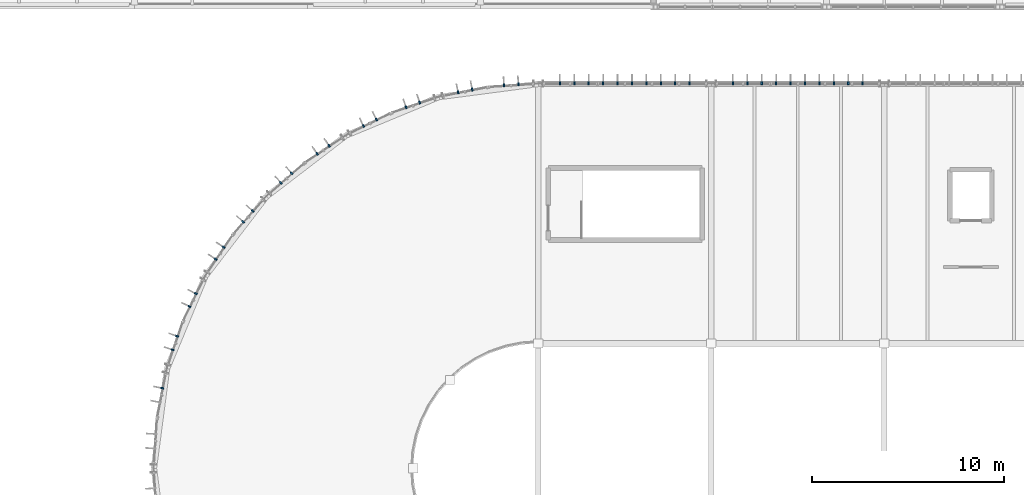
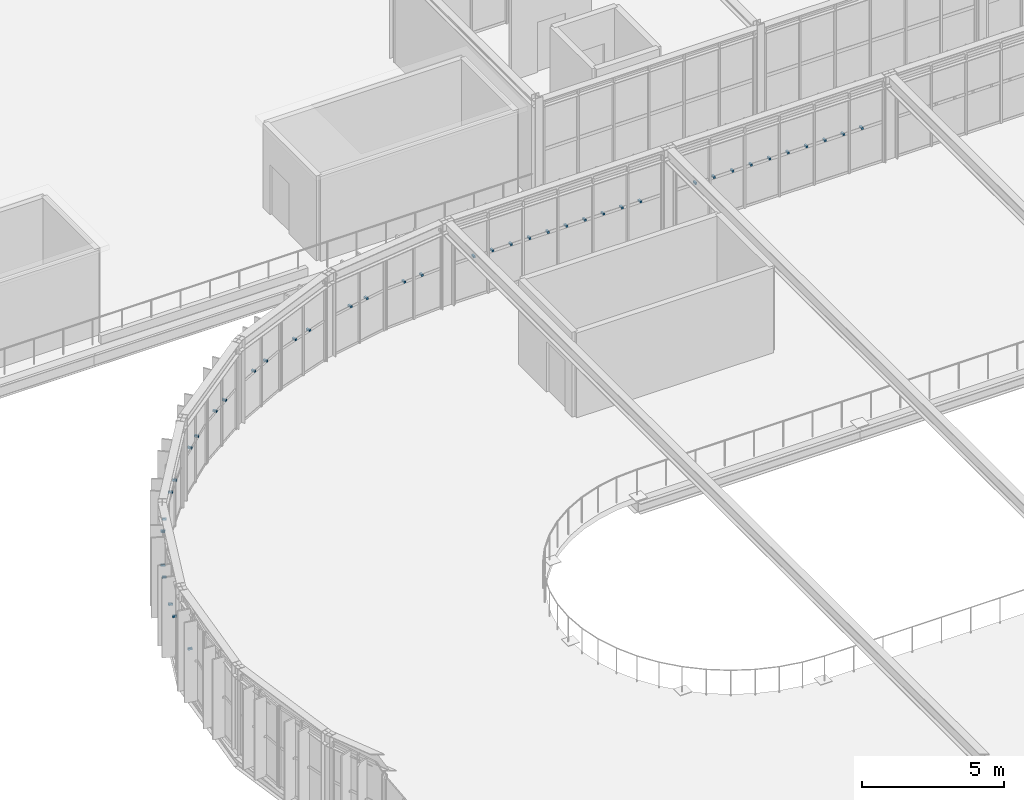
# One storey, part 134 of 152: 41 discrete accessories.
"""IFC4 building model written with IfcOpenShell, lengths in metres."""

from ifc_helpers import new_model, si_unit, derived_unit, direction, frame, origin, origin_2d, place, context, subcontext, project, spatial, rectangle, extrude, material, type_object, element, save


model = new_model("IFC4")

# Units and contexts
model_context = context("Model", 3, precision=1e-05, world=origin(), true_north=direction((0.0, 1.0)))
body_context = subcontext(model_context, "Body", "Model", "MODEL_VIEW")
ifc_project = project(units=[si_unit("LENGTHUNIT", "METRE"), si_unit("AREAUNIT", "SQUARE_METRE"), si_unit("VOLUMEUNIT", "CUBIC_METRE"), si_unit("PLANEANGLEUNIT", "RADIAN"), si_unit("MASSUNIT", "GRAM", prefix="KILO"), si_unit("THERMODYNAMICTEMPERATUREUNIT", "KELVIN"), si_unit("TIMEUNIT", "SECOND"), derived_unit("THERMALTRANSMITTANCEUNIT", [(si_unit("MASSUNIT", "GRAM", prefix="KILO"), 1), (si_unit("THERMODYNAMICTEMPERATUREUNIT", "KELVIN"), -1), (si_unit("TIMEUNIT", "SECOND"), -3)])], contexts=[model_context])

# Site, building, storey
site_placement = place(None, origin())
site = spatial("IfcSite", under=ifc_project, at=site_placement, CompositionType="ELEMENT")
building_placement = place(site_placement, origin())
building = spatial("IfcBuilding", under=site, at=building_placement, Name="Cambertide Market Hall", CompositionType="ELEMENT")
storey_placement = place(building_placement, frame((0.0, 0.0, 5.39990234375)))
storey = spatial("IfcBuildingStorey", under=building, at=storey_placement, Name="L02", CompositionType="ELEMENT", Elevation=5.39990234375)

# Discrete accessories
ifc_material = material(Name="Stainless Steel Grade 316", Category="metal")
discrete_accessory_type = type_object("IfcDiscreteAccessoryType", Name="Stainless Fin Outrigger Tie Bracket", PredefinedType="BRACKET", material=ifc_material)
for number, where, z_axis, x_axis, name in (
    (1, (43.125, 92.0400390625, 1.68505859375), (0.0, 0.0, 1.0), (1.0, 0.0, 0.0), "CW-V1N-L02-1 Fin Tie Bracket 1"),
    (2, (43.875, 92.0400390625, 1.68505859375), (0.0, 0.0, 1.0), (1.0, 0.0, 0.0), "CW-V1N-L02-1 Fin Tie Bracket 2"),
    (3, (44.625, 92.0400390625, 1.68505859375), (0.0, 0.0, 1.0), (1.0, 0.0, 0.0), "CW-V1N-L02-1 Fin Tie Bracket 3"),
    (4, (45.375, 92.0400390625, 1.68505859375), (0.0, 0.0, 1.0), (1.0, 0.0, 0.0), "CW-V1N-L02-1 Fin Tie Bracket 4"),
    (5, (46.125, 92.0400390625, 1.68505859375), (0.0, 0.0, 1.0), (1.0, 0.0, 0.0), "CW-V1N-L02-1 Fin Tie Bracket 5"),
    (6, (46.875, 92.0400390625, 1.68505859375), (0.0, 0.0, 1.0), (1.0, 0.0, 0.0), "CW-V1N-L02-1 Fin Tie Bracket 6"),
    (7, (47.625, 92.0400390625, 1.68505859375), (0.0, 0.0, 1.0), (1.0, 0.0, 0.0), "CW-V1N-L02-1 Fin Tie Bracket 7"),
    (8, (48.375, 92.0400390625, 1.68505859375), (0.0, 0.0, 1.0), (1.0, 0.0, 0.0), "CW-V1N-L02-1 Fin Tie Bracket 8"),
    (9, (49.125, 92.0400390625, 1.68505859375), (0.0, 0.0, 1.0), (1.0, 0.0, 0.0), "CW-V1N-L02-1 Fin Tie Bracket 9"),
    (10, (49.875, 92.0400390625, 1.68505859375), (0.0, 0.0, 1.0), (1.0, 0.0, 0.0), "CW-V1N-L02-1 Fin Tie Bracket 10"),
    (11, (52.125, 92.0400390625, 1.68505859375), (0.0, 0.0, 1.0), (1.0, 0.0, 0.0), "CW-V1N-L02-2 Fin Tie Bracket 1"),
    (12, (52.875, 92.0400390625, 1.68505859375), (0.0, 0.0, 1.0), (1.0, 0.0, 0.0), "CW-V1N-L02-2 Fin Tie Bracket 2"),
    (13, (53.625, 92.0400390625, 1.68505859375), (0.0, 0.0, 1.0), (1.0, 0.0, 0.0), "CW-V1N-L02-2 Fin Tie Bracket 3"),
    (14, (54.375, 92.0400390625, 1.68505859375), (0.0, 0.0, 1.0), (1.0, 0.0, 0.0), "CW-V1N-L02-2 Fin Tie Bracket 4"),
    (15, (55.125, 92.0400390625, 1.68505859375), (0.0, 0.0, 1.0), (1.0, 0.0, 0.0), "CW-V1N-L02-2 Fin Tie Bracket 5"),
    (16, (55.875, 92.0400390625, 1.68505859375), (0.0, 0.0, 1.0), (1.0, 0.0, 0.0), "CW-V1N-L02-2 Fin Tie Bracket 6"),
    (17, (56.625, 92.0400390625, 1.68505859375), (0.0, 0.0, 1.0), (1.0, 0.0, 0.0), "CW-V1N-L02-2 Fin Tie Bracket 7"),
    (18, (57.375, 92.0400390625, 1.68505859375), (0.0, 0.0, 1.0), (1.0, 0.0, 0.0), "CW-V1N-L02-2 Fin Tie Bracket 8"),
    (19, (58.125, 92.0400390625, 1.68505859375), (0.0, 0.0, 1.0), (1.0, 0.0, 0.0), "CW-V1N-L02-2 Fin Tie Bracket 9"),
    (20, (58.875, 92.0400390625, 1.68505859375), (0.0, 0.0, 1.0), (1.0, 0.0, 0.0), "CW-V1N-L02-2 Fin Tie Bracket 10"),
    (21, (40.218017578125, 91.92333984375, 1.68505859375), (0.0, 0.0, 1.0), (0.997858917819, 0.065403211921, 0.0), "CW-V1AW-L02-01 Fin Tie Bracket 1"),
    (22, (40.966552734375, 91.972412109375, 1.68505859375), (0.0, 0.0, 1.0), (0.997858917819, 0.065403211921, 0.0), "CW-V1AW-L02-01 Fin Tie Bracket 2"),
    (23, (37.8291015625, 91.559326171875, 1.68505859375), (0.0, 0.0, 1.0), (0.980785330885, 0.195090068226, 0.0), "CW-V1AW-L02-02 Fin Tie Bracket 1"),
    (24, (38.564697265625, 91.70556640625, 1.68505859375), (0.0, 0.0, 1.0), (0.980785330885, 0.195090068226, 0.0), "CW-V1AW-L02-02 Fin Tie Bracket 2"),
    (25, (35.122314453125, 90.783203125, 1.68505859375), (0.0, 0.0, 1.0), (0.94693012508, 0.32143947831, 0.0), "CW-V1AW-L02-03 Fin Tie Bracket 1"),
    (26, (35.83251953125, 91.0244140625, 1.68505859375), (0.0, 0.0, 1.0), (0.94693012508, 0.32143947831, 0.0), "CW-V1AW-L02-03 Fin Tie Bracket 2"),
    (27, (32.908935546875, 89.813232421875, 1.68505859375), (0.0, 0.0, 1.0), (0.896872650645, 0.442288874522, 0.0), "CW-V1AW-L02-04 Fin Tie Bracket 1"),
    (28, (33.58154296875, 90.14501953125, 1.68505859375), (0.0, 0.0, 1.0), (0.896872650645, 0.442288874522, 0.0), "CW-V1AW-L02-04 Fin Tie Bracket 2"),
    (29, (30.4951171875, 88.363037109375, 1.68505859375), (0.0, 0.0, 1.0), (0.831469709481, 0.555570087582, 0.0), "CW-V1AW-L02-05 Fin Tie Bracket 1"),
    (30, (31.118896484375, 88.77978515625, 1.68505859375), (0.0, 0.0, 1.0), (0.831469709481, 0.555570087582, 0.0), "CW-V1AW-L02-05 Fin Tie Bracket 2"),
    (31, (28.608154296875, 86.853271484375, 1.68505859375), (0.0, 0.0, 1.0), (0.751839834741, 0.659345784014, 0.0), "CW-V1AW-L02-06 Fin Tie Bracket 1"),
    (32, (29.172119140625, 87.347900390625, 1.68505859375), (0.0, 0.0, 1.0), (0.751839834741, 0.659345784014, 0.0), "CW-V1AW-L02-06 Fin Tie Bracket 2"),
    (33, (26.652099609375, 84.827880859375, 1.68505859375), (0.0, 0.0, 1.0), (0.659345784014, 0.751839834741, 0.0), "CW-V1AW-L02-07 Fin Tie Bracket 1"),
    (34, (27.146728515625, 85.391845703125, 1.68505859375), (0.0, 0.0, 1.0), (0.659345784014, 0.751839834741, 0.0), "CW-V1AW-L02-07 Fin Tie Bracket 2"),
    (35, (25.22021484375, 82.881103515625, 1.68505859375), (0.0, 0.0, 1.0), (0.555570087582, 0.831469709481, 0.0), "CW-V1AW-L02-08 Fin Tie Bracket 1"),
    (36, (25.636962890625, 83.5048828125, 1.68505859375), (0.0, 0.0, 1.0), (0.555570087582, 0.831469709481, 0.0), "CW-V1AW-L02-08 Fin Tie Bracket 2"),
    (37, (23.85498046875, 80.41845703125, 1.68505859375), (0.0, 0.0, 1.0), (0.442288874522, 0.896872650645, 0.0), "CW-V1AW-L02-09 Fin Tie Bracket 1"),
    (38, (24.186767578125, 81.091064453125, 1.68505859375), (0.0, 0.0, 1.0), (0.442288874522, 0.896872650645, 0.0), "CW-V1AW-L02-09 Fin Tie Bracket 2"),
    (39, (22.9755859375, 78.16748046875, 1.68505859375), (0.0, 0.0, 1.0), (0.32143947831, 0.94693012508, 0.0), "CW-V1AW-L02-10 Fin Tie Bracket 1"),
    (40, (23.216796875, 78.877685546875, 1.68505859375), (0.0, 0.0, 1.0), (0.32143947831, 0.94693012508, 0.0), "CW-V1AW-L02-10 Fin Tie Bracket 2"),
    (41, (22.440673828125, 76.1708984375, 1.68505859375), (0.0, 0.0, 1.0), (0.195090068226, 0.980785330885, 0.0), "CW-V1AW-L02-11 Fin Tie Bracket 2"),
):
    element("IfcDiscreteAccessory", number, at=place(storey_placement, frame(where, z_axis=z_axis, x_axis=x_axis)), inside=storey, type_object=discrete_accessory_type, Name=name, PredefinedType="BRACKET", context=body_context, shape_type="SweptSolid", body=[
        extrude(rectangle(XDim=0.080078125, YDim=0.159912109375, at=origin_2d()), origin(), (0.0, 0.0, 1.0), 0.080078125),
    ])

save(model, "model.ifc")
